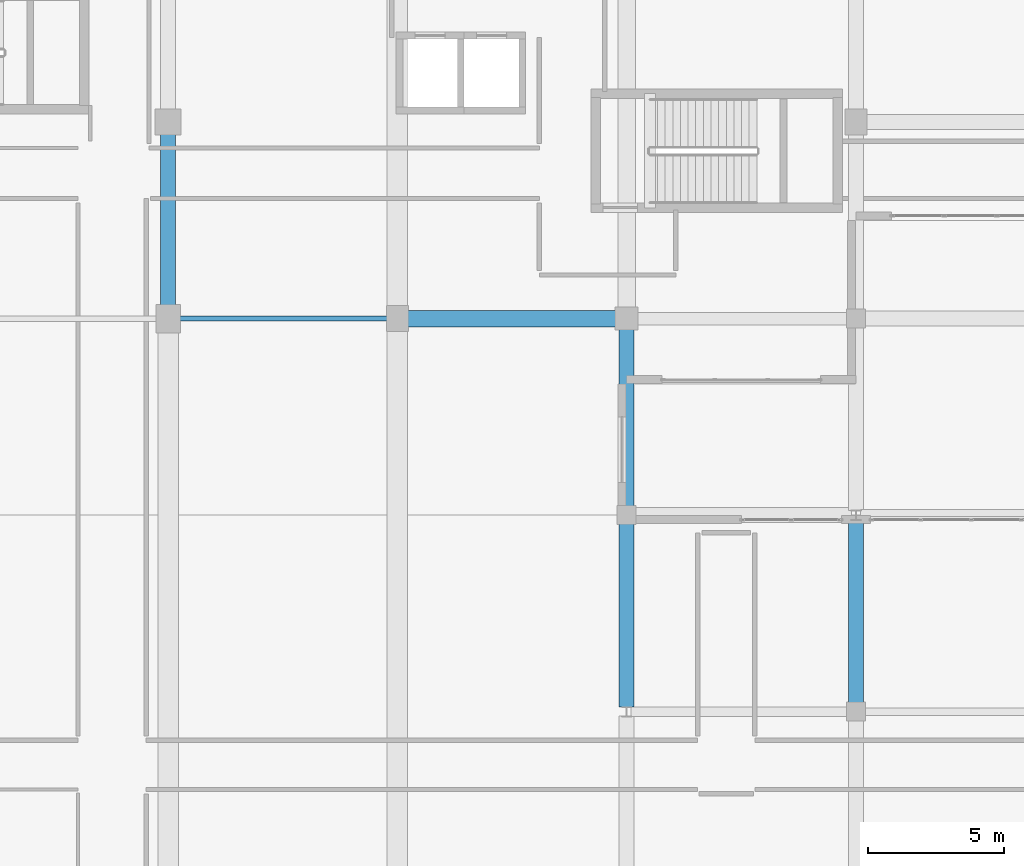
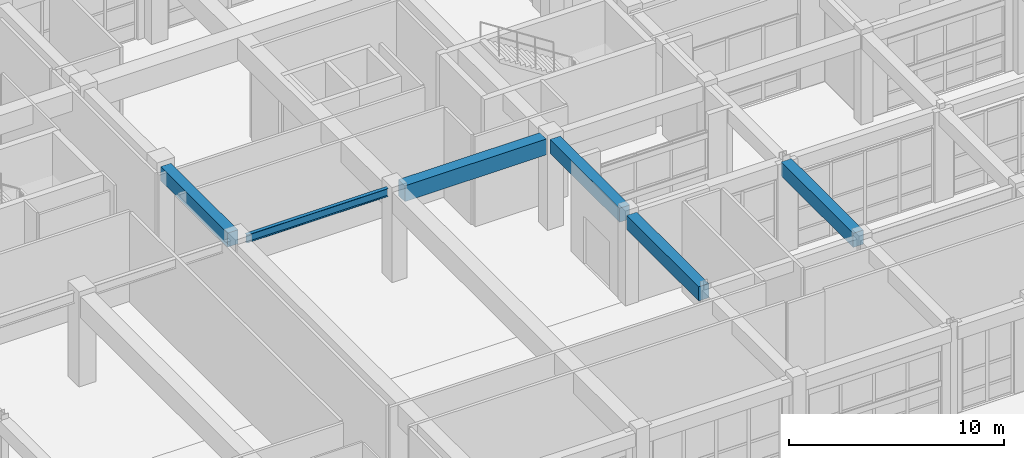
# One storey, part 68 of 148: 6 beams.
"""IFC4 building model written with IfcOpenShell, lengths in metres."""

from ifc_helpers import new_model, si_unit, direction, frame, origin, origin_2d, place, context, subcontext, project, spatial, rectangle, i_section, extrude, material, material_profile, profile_set, type_object, element, save


model = new_model("IFC4")

# Units and contexts
model_context = context("Model", 3, precision=1e-05, world=origin(), true_north=direction((0.0, 1.0)))
body_context = subcontext(model_context, "Body", "Model", "MODEL_VIEW")
ifc_project = project(units=[si_unit("LENGTHUNIT", "METRE"), si_unit("AREAUNIT", "SQUARE_METRE"), si_unit("VOLUMEUNIT", "CUBIC_METRE"), si_unit("PLANEANGLEUNIT", "RADIAN"), si_unit("MASSUNIT", "GRAM", prefix="KILO")], contexts=[model_context])

# Site, building, storey
site_placement = place(None, origin())
site = spatial("IfcSite", under=ifc_project, at=site_placement, CompositionType="ELEMENT")
building_placement = place(site_placement, origin())
building = spatial("IfcBuilding", under=site, at=building_placement, Name="Quendrovan Civic Courthouse", CompositionType="ELEMENT")
storey_placement = place(building_placement, origin())
storey = spatial("IfcBuildingStorey", under=building, at=storey_placement, Name="L01", CompositionType="ELEMENT", Elevation=0.0)

# Beams
ifc_material_1 = material(Name="Concrete C40/50", Category="concrete")
ifc_material_profile_1 = material_profile(ifc_material_1, rectangle(XDim=0.550048828125, YDim=0.800048828125, at=origin_2d()), Name="RC-BM-550x800")
ifc_profile_set_1 = profile_set([ifc_material_profile_1], Name="Concrete C40/50")
beam_type_1 = type_object("IfcBeamType", Name="BM-RC800", PredefinedType="BEAM", material=ifc_profile_set_1)
beam_1_placement = place(storey_placement, frame((67.199951171875, 88.10498046875, 4.719970703125), z_axis=(0.0, 1.0, 0.0), x_axis=(-1.0, 0.0, 0.0)))
element("IfcBeam", 1, at=beam_1_placement, inside=storey, type_object=beam_type_1, Name="L01 Girder Y0428", PredefinedType="BEAM", context=body_context, shape_type="SweptSolid", body=[
    extrude(rectangle(XDim=0.550048828125, YDim=0.800048828125, at=origin_2d()), origin(), (0.0, 0.0, 1.0), 6.239990234375),
])
beam_2_placement = place(storey_placement, frame((84.0, 73.365966796875, 4.719970703125), z_axis=(0.0, 1.0, 0.0), x_axis=(-1.0, 0.0, 0.0)))
element("IfcBeam", 2, at=beam_2_placement, inside=storey, type_object=beam_type_1, Name="L01 Girder Y0437", PredefinedType="BEAM", context=body_context, shape_type="SweptSolid", body=[
    extrude(rectangle(XDim=0.550048828125, YDim=0.800048828125, at=origin_2d()), origin(), (0.0, 0.0, 1.0), 6.7041015625),
])
beam_3_placement = place(storey_placement, frame((84.0, 80.72998046875, 4.719970703125), z_axis=(0.0, 1.0, 0.0), x_axis=(-1.0, 0.0, 0.0)))
element("IfcBeam", 3, at=beam_3_placement, inside=storey, type_object=beam_type_1, Name="L01 Girder Y0438", PredefinedType="BEAM", context=body_context, shape_type="SweptSolid", body=[
    extrude(rectangle(XDim=0.550048828125, YDim=0.800048828125, at=origin_2d()), origin(), (0.0, 0.0, 1.0), 6.465087890625),
])
beam_4_placement = place(storey_placement, frame((92.39990234375, 73.530029296875, 4.719970703125), z_axis=(0.0, 1.0, 0.0), x_axis=(-1.0, 0.0, 0.0)))
element("IfcBeam", 4, at=beam_4_placement, inside=storey, type_object=beam_type_1, Name="L01 Girder Y0444", PredefinedType="BEAM", context=body_context, shape_type="SweptSolid", body=[
    extrude(rectangle(XDim=0.550048828125, YDim=0.800048828125, at=origin_2d()), origin(), (0.0, 0.0, 1.0), 6.703857421875),
])
ifc_material_profile_2 = material_profile(ifc_material_1, rectangle(XDim=0.60009765625, YDim=0.89990234375, at=origin_2d()), Name="RC-BM-600x900")
ifc_profile_set_2 = profile_set([ifc_material_profile_2], Name="Concrete C40/50")
beam_type_2 = type_object("IfcBeamType", Name="BM-RC900", PredefinedType="BEAM", material=ifc_profile_set_2)
beam_5_placement = place(storey_placement, frame((75.97998046875, 87.60009765625, 4.669921875), z_axis=(1.0, 0.0, 0.0), x_axis=(0.0, 1.0, 0.0)))
element("IfcBeam", 5, at=beam_5_placement, inside=storey, type_object=beam_type_2, Name="L01 Girder X0321", PredefinedType="BEAM", context=body_context, shape_type="SweptSolid", body=[
    extrude(rectangle(XDim=0.60009765625, YDim=0.89990234375, at=origin_2d()), origin(), (0.0, 0.0, 1.0), 7.614990234375),
])
ifc_material_2 = material(Name="Steel ASTM A992 Grade 50", Category="steel")
ifc_material_profile_3 = material_profile(ifc_material_2, i_section(OverallWidth=0.18994140625, OverallDepth=0.45703125, WebThickness=0.009033203125, FlangeThickness=0.014404296875, at=origin_2d()), Name="W18X50")
ifc_profile_set_3 = profile_set([ifc_material_profile_3], Name="Steel ASTM A992 Grade 50")
beam_type_3 = type_object("IfcBeamType", Name="BM-STL-W18", PredefinedType="JOIST", material=ifc_profile_set_3)
beam_6_placement = place(storey_placement, frame((67.6298828125, 87.60009765625, 4.8916015625), z_axis=(1.0, 0.0, 0.0), x_axis=(0.0, 1.0, 0.0)))
element("IfcBeam", 6, at=beam_6_placement, inside=storey, type_object=beam_type_3, Name="L01 Girder X0320", PredefinedType="JOIST", context=body_context, shape_type="SweptSolid", body=[
    extrude(i_section(OverallWidth=0.18994140625, OverallDepth=0.45703125, WebThickness=0.009033203125, FlangeThickness=0.014404296875, at=origin_2d()), origin(), (0.0, 0.0, 1.0), 7.590087890625),
])

save(model, "model.ifc")
